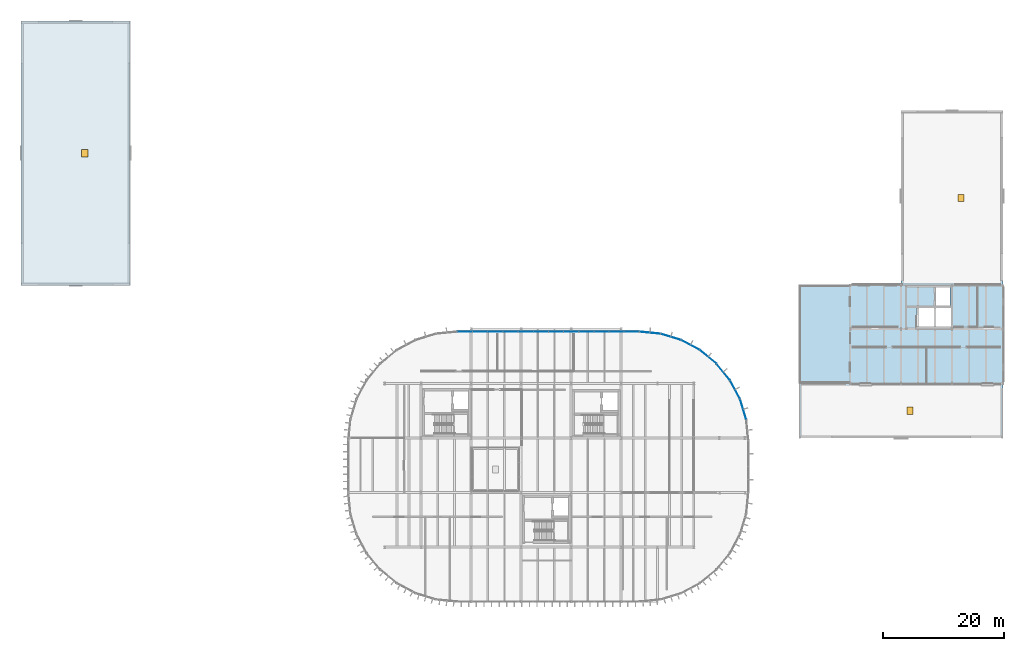
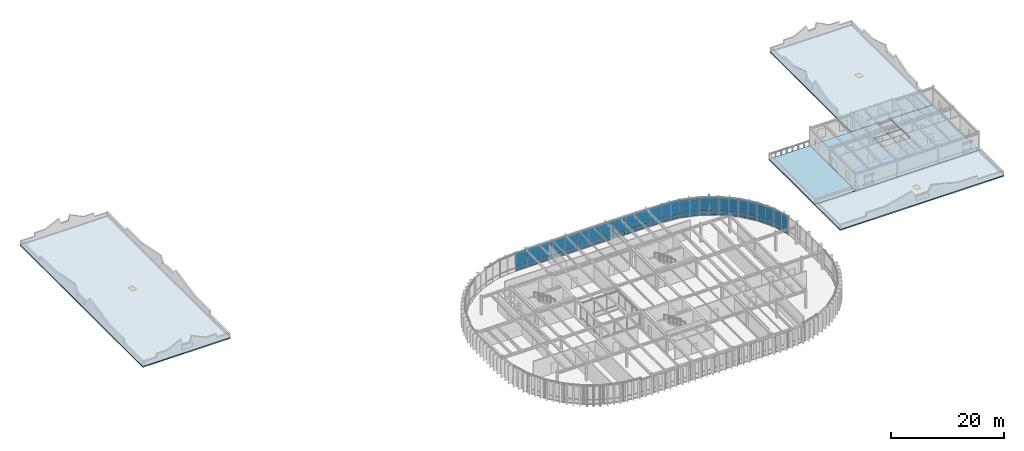
# One storey, part 19 of 31: 38 plates, 5 slabs, 3 doors, 5 openings, 13 elements without a shape of their own.
"""IFC4 building model written with IfcOpenShell, lengths in metres."""

import ifcopenshell
import ifcopenshell.guid

model = None  # the IFC model being written
_history = None  # IfcOwnerHistory: only IFC2X3 demands one
_inside = {}  # id of a spatial element -> (the spatial element, [elements in it])
_under = {}  # id of a project, library or spatial element -> (it, [spatial elements below it])
_declared = {}  # id of a project -> (the project, [libraries it declares])
_typed = {}  # id of a type object -> (the type object, [elements of that type])
_made_of = {}  # id of a material, layer set ... -> (it, [elements and type objects made of it])


def new_model(schema):
    """Start an empty IFC model of exactly this schema.

    Asked for "IFC4X3", IfcOpenShell would pick the latest addendum, in which some entities
    have other attributes; the version numbers below select the first issue.
    IFC2X3 requires an IfcOwnerHistory on every rooted entity: one is made here for all.
    """
    global model, _history
    if schema == "IFC4X3":
        model = ifcopenshell.file(schema_version=(4, 3, 0, 0))
    else:
        model = ifcopenshell.file(schema=schema)
    _inside.clear()
    _under.clear()
    _declared.clear()
    _typed.clear()
    _made_of.clear()
    _history = None
    if model.schema == "IFC2X3":
        org = make("IfcOrganization", Name="unknown")
        user = make(
            "IfcPersonAndOrganization",
            ThePerson=make("IfcPerson", FamilyName="unknown"),
            TheOrganization=org,
        )
        app = make(
            "IfcApplication",
            ApplicationDeveloper=org,
            Version="unknown",
            ApplicationFullName="unknown",
            ApplicationIdentifier="unknown",
        )
        _history = make(
            "IfcOwnerHistory",
            OwningUser=user,
            OwningApplication=app,
            ChangeAction="ADDED",
            CreationDate=0,
        )
    return model


def make(cls, **values):
    """One entity of the class cls with the attributes given. An attribute that is None is left unset."""
    return model.create_entity(
        cls, **{name: value for name, value in values.items() if value is not None}
    )


def rooted(cls, **values):
    """An entity with a GlobalId (a new one), such as an element, a storey or a relation."""
    return make(cls, GlobalId=ifcopenshell.guid.new(), OwnerHistory=_history, **values)


def si_unit(unit_type, name, prefix=None):
    """IfcSIUnit, for example si_unit("LENGTHUNIT", "METRE", prefix="MILLI")."""
    return make("IfcSIUnit", UnitType=unit_type, Prefix=prefix, Name=name)


def assignment(units):
    """IfcUnitAssignment: the units of a project."""
    return None if units is None else make("IfcUnitAssignment", Units=units)


def point(xyz):
    """IfcCartesianPoint."""
    return None if xyz is None else make("IfcCartesianPoint", Coordinates=xyz)


def direction(xyz):
    """IfcDirection."""
    return None if xyz is None else make("IfcDirection", DirectionRatios=xyz)


def frame(location, z_axis=None, x_axis=None):
    """IfcAxis2Placement3D, a coordinate frame: its origin and axes. An axis left out is left unset."""
    return make(
        "IfcAxis2Placement3D",
        Location=point(location),
        Axis=direction(z_axis),
        RefDirection=direction(x_axis),
    )


def frame_2d(location, x_axis=None):
    """IfcAxis2Placement2D, a coordinate frame in the plane: its origin and x axis."""
    return make(
        "IfcAxis2Placement2D", Location=point(location), RefDirection=direction(x_axis)
    )


def origin():
    """The frame at (0, 0, 0) with its axes left unset."""
    return frame((0.0, 0.0, 0.0))


def origin_2d():
    """The frame at (0, 0) in the plane with its x axis left unset."""
    return frame_2d((0.0, 0.0))


def place(relative_to, where):
    """IfcLocalPlacement: puts the frame where relative to a parent placement (None: the world)."""
    return make(
        "IfcLocalPlacement", PlacementRelTo=relative_to, RelativePlacement=where
    )


def context(
    kind, dimensions, precision=None, world=None, true_north=None, identifier=None
):
    """IfcGeometricRepresentationContext, for example the 3D "Model" context."""
    return make(
        "IfcGeometricRepresentationContext",
        ContextIdentifier=identifier,
        ContextType=kind,
        CoordinateSpaceDimension=dimensions,
        Precision=precision,
        WorldCoordinateSystem=world,
        TrueNorth=true_north,
    )


def subcontext(parent, identifier, kind, view, scale=None):
    """IfcGeometricRepresentationSubContext, for example "Body" below "Model"."""
    return make(
        "IfcGeometricRepresentationSubContext",
        ContextIdentifier=identifier,
        ContextType=kind,
        ParentContext=parent,
        TargetScale=scale,
        TargetView=view,
    )


def project(units=None, contexts=None):
    """IfcProject with its units and contexts."""
    return rooted(
        "IfcProject",
        Name="project",
        RepresentationContexts=contexts,
        UnitsInContext=assignment(units),
    )


def spatial(cls, under=None, at=None, **own):
    """A site, building, storey or space (cls), placed at a placement, below another one or the project."""
    s = rooted(cls, ObjectPlacement=at, **own)
    if under is not None:
        _under.setdefault(under.id(), (under, []))[1].append(s)
    return s


def polyline(points):
    """IfcPolyline through the points."""
    return make("IfcPolyline", Points=[point(p) for p in points])


def profile(cls, at=None, kind="AREA", **sizes):
    """A parametric profile (cls). Its sizes go by their IFC names, for example OverallWidth=200.0."""
    return make(cls, ProfileType=kind, Position=at, **sizes)


def rectangle(**sizes):
    """IfcRectangleProfileDef."""
    return profile("IfcRectangleProfileDef", **sizes)


def outline(outer, holes=None, kind="AREA"):
    """IfcArbitraryClosedProfileDef: a profile drawn as a closed curve; with holes, ...WithVoids."""
    if holes is None:
        return make("IfcArbitraryClosedProfileDef", ProfileType=kind, OuterCurve=outer)
    return make(
        "IfcArbitraryProfileDefWithVoids",
        ProfileType=kind,
        OuterCurve=outer,
        InnerCurves=holes,
    )


def extrude(swept, where, along, depth):
    """IfcExtrudedAreaSolid: the profile swept, set in the frame where, extruded along a direction by depth."""
    return make(
        "IfcExtrudedAreaSolid",
        SweptArea=swept,
        Position=where,
        ExtrudedDirection=direction(along),
        Depth=depth,
    )


def shape(context_of_items, identifier, shape_type, items):
    """IfcShapeRepresentation: the items that make up one representation, for example the "Body"."""
    return make(
        "IfcShapeRepresentation",
        ContextOfItems=context_of_items,
        RepresentationIdentifier=identifier,
        RepresentationType=shape_type,
        Items=items,
    )


def material(Name=None, Category=None):
    """IfcMaterial."""
    return make("IfcMaterial", Name=Name, Category=Category)


def layer(
    of_material, thickness, ventilated=None, Name=None, Category=None, Priority=None
):
    """IfcMaterialLayer: one layer of a wall or slab, of a material (None: an air gap)."""
    return make(
        "IfcMaterialLayer",
        Material=of_material,
        LayerThickness=thickness,
        IsVentilated=ventilated,
        Name=Name,
        Category=Category,
        Priority=Priority,
    )


def layer_set(layers, Name=None):
    """IfcMaterialLayerSet."""
    return make("IfcMaterialLayerSet", MaterialLayers=layers, LayerSetName=Name)


def made_of(thing, what):
    """Note that an element or type object is made of a material, layer set ...; save() writes the relation."""
    if what is not None:
        _made_of.setdefault(what.id(), (what, []))[1].append(thing)
    return thing


def type_object(cls, material=None, **own):
    """A type object (cls), such as IfcWallType, which elements share."""
    return made_of(rooted(cls, **own), material)


def element(
    cls,
    number,
    at=None,
    inside=None,
    cuts=None,
    type_object=None,
    material=None,
    context=None,
    identifier="Body",
    shape_type=None,
    held_by="IfcProductDefinitionShape",
    body=None,
    shapes=None,
    **own,
):
    """One element of the class cls, such as IfcWall. Its Tag is "e" and its number.

    at: its placement. inside: the storey or other place that contains it. cuts: it is an
    opening in that element (IfcRelVoidsElement). A single representation is given by context,
    identifier, shape_type and body (its items); several are given by shapes. held_by: the class
    of the entity that holds the representations. save() writes the other relations.
    """
    e = rooted(cls, Tag="e%d" % number, ObjectPlacement=at, **own)
    if body is not None:
        shapes = [shape(context, identifier, shape_type, body)]
    if shapes is not None:
        e.Representation = make(held_by, Representations=shapes)
    if inside is not None:
        _inside.setdefault(inside.id(), (inside, []))[1].append(e)
    if cuts is not None:
        rooted(
            "IfcRelVoidsElement", RelatingBuildingElement=cuts, RelatedOpeningElement=e
        )
    if type_object is not None:
        _typed.setdefault(type_object.id(), (type_object, []))[1].append(e)
    return made_of(e, material)


def fill(opening, filler):
    """IfcRelFillsElement: the door or window that sits in an opening."""
    return rooted(
        "IfcRelFillsElement",
        RelatingOpeningElement=opening,
        RelatedBuildingElement=filler,
    )


def aggregate(whole, parts):
    """IfcRelAggregates: a whole, such as a stair, and the parts it consists of."""
    return rooted("IfcRelAggregates", RelatingObject=whole, RelatedObjects=parts)


def save(model, path):
    """Write the relations noted so far, then the file.

    IfcRelAggregates (storeys below a building ...), IfcRelContainedInSpatialStructure (elements
    in a storey), IfcRelDefinesByType, IfcRelAssociatesMaterial and IfcRelDeclares: one each for
    every whole, place, type object, material and project.
    """
    for whole, parts in _under.values():
        aggregate(whole, parts)
    for where, things in _inside.values():
        rooted(
            "IfcRelContainedInSpatialStructure",
            RelatedElements=things,
            RelatingStructure=where,
        )
    for kind, things in _typed.values():
        rooted("IfcRelDefinesByType", RelatedObjects=things, RelatingType=kind)
    for what, things in _made_of.values():
        rooted("IfcRelAssociatesMaterial", RelatedObjects=things, RelatingMaterial=what)
    for by, libraries in _declared.values():
        rooted("IfcRelDeclares", RelatingContext=by, RelatedDefinitions=libraries)
    model.write(path)


model = new_model("IFC4")

# Units and contexts
model_context = context("Model", 3, precision=1e-05, world=origin(), true_north=direction((0.0, 1.0)))
body_context = subcontext(model_context, "Body", "Model", "MODEL_VIEW")
ifc_project = project(units=[si_unit("LENGTHUNIT", "METRE"), si_unit("AREAUNIT", "SQUARE_METRE"), si_unit("VOLUMEUNIT", "CUBIC_METRE"), si_unit("PLANEANGLEUNIT", "RADIAN"), si_unit("MASSUNIT", "GRAM", prefix="KILO")], contexts=[model_context])

# Site, building, storey
site_placement = place(None, origin())
site = spatial("IfcSite", under=ifc_project, at=site_placement, CompositionType="ELEMENT")
building_placement = place(site_placement, origin())
building = spatial("IfcBuilding", under=site, at=building_placement, Name="Montealbar Specialist Clinic", CompositionType="ELEMENT")
storey_placement = place(building_placement, frame((0.0, 0.0, 13.800048828125)))
storey = spatial("IfcBuildingStorey", under=building, at=storey_placement, Name="L03", CompositionType="ELEMENT", Elevation=13.800048828125)

# Curtain wall, plates
ifc_material_1 = material(Name="Low-E double glazing", Category="glass")
ifc_layer_1 = layer(ifc_material_1, 0.199951171875, Name="Low-E double glazing", Category="glass")
ifc_layer_set_1 = layer_set([ifc_layer_1], Name="Low-E double glazing")
curtain_wall_type_1 = type_object("IfcCurtainWallType", Name="CW-TYPE-20", PredefinedType="NOTDEFINED", material=ifc_layer_set_1)
curtain_wall_1_placement = place(storey_placement, origin())
curtain_wall_1 = element("IfcCurtainWall", 1, at=curtain_wall_1_placement, inside=storey, type_object=curtain_wall_type_1, Name="Unitised Curtain Wall CW-L03-720-446-820-446-138", PredefinedType="NOTDEFINED")
ifc_layer_2 = layer(ifc_material_1, 0.028076171875, Name="Low-E double glazing", Category="glass")
ifc_layer_set_2 = layer_set([ifc_layer_2], Name="Low-E double glazing")
plate_type_1 = type_object("IfcPlateType", Name="CW-PNL-IGU28", PredefinedType="CURTAIN_PANEL", material=ifc_layer_set_2)
plate_1_placement = place(storey_placement, frame((73.25, 44.550048828125, 0.06982421875), z_axis=(0.0, 0.0, 1.0), x_axis=(1.0, 0.0, 0.0)))
plate_1 = element("IfcPlate", 2, at=plate_1_placement, type_object=plate_type_1, Name="Glazed Curtain Panel CW-L03-720-446-820-446-138-1-1", PredefinedType="CURTAIN_PANEL", context=body_context, shape_type="SweptSolid", body=[
    extrude(rectangle(XDim=2.427978515625, YDim=0.028076171875, at=origin_2d()), origin(), (0.0, 0.0, 1.0), 0.85009765625),
])
plate_2_placement = place(storey_placement, frame((73.25, 44.550048828125, 0.97998046875), z_axis=(0.0, 0.0, 1.0), x_axis=(1.0, 0.0, 0.0)))
plate_2 = element("IfcPlate", 3, at=plate_2_placement, type_object=plate_type_1, Name="Glazed Curtain Panel CW-L03-720-446-820-446-138-1-2", PredefinedType="CURTAIN_PANEL", context=body_context, shape_type="SweptSolid", body=[
    extrude(rectangle(XDim=2.427978515625, YDim=0.028076171875, at=origin_2d()), origin(), (0.0, 0.0, 1.0), 2.889892578125),
])
plate_3_placement = place(storey_placement, frame((75.75, 44.550048828125, 0.06982421875), z_axis=(0.0, 0.0, 1.0), x_axis=(1.0, 0.0, 0.0)))
plate_3 = element("IfcPlate", 4, at=plate_3_placement, type_object=plate_type_1, Name="Glazed Curtain Panel CW-L03-720-446-820-446-138-2-1", PredefinedType="CURTAIN_PANEL", context=body_context, shape_type="SweptSolid", body=[
    extrude(rectangle(XDim=2.427978515625, YDim=0.028076171875, at=origin_2d()), origin(), (0.0, 0.0, 1.0), 0.85009765625),
])
plate_4_placement = place(storey_placement, frame((75.75, 44.550048828125, 0.97998046875), z_axis=(0.0, 0.0, 1.0), x_axis=(1.0, 0.0, 0.0)))
plate_4 = element("IfcPlate", 5, at=plate_4_placement, type_object=plate_type_1, Name="Glazed Curtain Panel CW-L03-720-446-820-446-138-2-2", PredefinedType="CURTAIN_PANEL", context=body_context, shape_type="SweptSolid", body=[
    extrude(rectangle(XDim=2.427978515625, YDim=0.028076171875, at=origin_2d()), origin(), (0.0, 0.0, 1.0), 2.889892578125),
])
plate_5_placement = place(storey_placement, frame((78.25, 44.550048828125, 0.06982421875), z_axis=(0.0, 0.0, 1.0), x_axis=(1.0, 0.0, 0.0)))
plate_5 = element("IfcPlate", 6, at=plate_5_placement, type_object=plate_type_1, Name="Glazed Curtain Panel CW-L03-720-446-820-446-138-3-1", PredefinedType="CURTAIN_PANEL", context=body_context, shape_type="SweptSolid", body=[
    extrude(rectangle(XDim=2.427978515625, YDim=0.028076171875, at=origin_2d()), origin(), (0.0, 0.0, 1.0), 0.85009765625),
])
plate_6_placement = place(storey_placement, frame((78.25, 44.550048828125, 0.97998046875), z_axis=(0.0, 0.0, 1.0), x_axis=(1.0, 0.0, 0.0)))
plate_6 = element("IfcPlate", 7, at=plate_6_placement, type_object=plate_type_1, Name="Glazed Curtain Panel CW-L03-720-446-820-446-138-3-2", PredefinedType="CURTAIN_PANEL", context=body_context, shape_type="SweptSolid", body=[
    extrude(rectangle(XDim=2.427978515625, YDim=0.028076171875, at=origin_2d()), origin(), (0.0, 0.0, 1.0), 2.889892578125),
])
plate_7_placement = place(storey_placement, frame((80.75, 44.550048828125, 0.06982421875), z_axis=(0.0, 0.0, 1.0), x_axis=(1.0, 0.0, 0.0)))
plate_7 = element("IfcPlate", 8, at=plate_7_placement, type_object=plate_type_1, Name="Glazed Curtain Panel CW-L03-720-446-820-446-138-4-1", PredefinedType="CURTAIN_PANEL", context=body_context, shape_type="SweptSolid", body=[
    extrude(rectangle(XDim=2.427978515625, YDim=0.028076171875, at=origin_2d()), origin(), (0.0, 0.0, 1.0), 0.85009765625),
])
plate_8_placement = place(storey_placement, frame((80.75, 44.550048828125, 0.97998046875), z_axis=(0.0, 0.0, 1.0), x_axis=(1.0, 0.0, 0.0)))
plate_8 = element("IfcPlate", 9, at=plate_8_placement, type_object=plate_type_1, Name="Glazed Curtain Panel CW-L03-720-446-820-446-138-4-2", PredefinedType="CURTAIN_PANEL", context=body_context, shape_type="SweptSolid", body=[
    extrude(rectangle(XDim=2.427978515625, YDim=0.028076171875, at=origin_2d()), origin(), (0.0, 0.0, 1.0), 2.889892578125),
])
aggregate(curtain_wall_1, [plate_1, plate_2, plate_3, plate_4, plate_5, plate_6, plate_7, plate_8])

curtain_wall_2_placement = place(storey_placement, origin())
curtain_wall_2 = element("IfcCurtainWall", 10, at=curtain_wall_2_placement, inside=storey, type_object=curtain_wall_type_1, Name="Unitised Curtain Wall CW-L03-820-446-920-446-138", PredefinedType="NOTDEFINED")
plate_9_placement = place(storey_placement, frame((83.25, 44.550048828125, 0.06982421875), z_axis=(0.0, 0.0, 1.0), x_axis=(1.0, 0.0, 0.0)))
plate_9 = element("IfcPlate", 11, at=plate_9_placement, type_object=plate_type_1, Name="Glazed Curtain Panel CW-L03-820-446-920-446-138-1-1", PredefinedType="CURTAIN_PANEL", context=body_context, shape_type="SweptSolid", body=[
    extrude(rectangle(XDim=2.427978515625, YDim=0.028076171875, at=origin_2d()), origin(), (0.0, 0.0, 1.0), 0.85009765625),
])
plate_10_placement = place(storey_placement, frame((83.25, 44.550048828125, 0.97998046875), z_axis=(0.0, 0.0, 1.0), x_axis=(1.0, 0.0, 0.0)))
plate_10 = element("IfcPlate", 12, at=plate_10_placement, type_object=plate_type_1, Name="Glazed Curtain Panel CW-L03-820-446-920-446-138-1-2", PredefinedType="CURTAIN_PANEL", context=body_context, shape_type="SweptSolid", body=[
    extrude(rectangle(XDim=2.427978515625, YDim=0.028076171875, at=origin_2d()), origin(), (0.0, 0.0, 1.0), 2.889892578125),
])
plate_11_placement = place(storey_placement, frame((85.75, 44.550048828125, 0.06982421875), z_axis=(0.0, 0.0, 1.0), x_axis=(1.0, 0.0, 0.0)))
plate_11 = element("IfcPlate", 13, at=plate_11_placement, type_object=plate_type_1, Name="Glazed Curtain Panel CW-L03-820-446-920-446-138-2-1", PredefinedType="CURTAIN_PANEL", context=body_context, shape_type="SweptSolid", body=[
    extrude(rectangle(XDim=2.427978515625, YDim=0.028076171875, at=origin_2d()), origin(), (0.0, 0.0, 1.0), 0.85009765625),
])
plate_12_placement = place(storey_placement, frame((85.75, 44.550048828125, 0.97998046875), z_axis=(0.0, 0.0, 1.0), x_axis=(1.0, 0.0, 0.0)))
plate_12 = element("IfcPlate", 14, at=plate_12_placement, type_object=plate_type_1, Name="Glazed Curtain Panel CW-L03-820-446-920-446-138-2-2", PredefinedType="CURTAIN_PANEL", context=body_context, shape_type="SweptSolid", body=[
    extrude(rectangle(XDim=2.427978515625, YDim=0.028076171875, at=origin_2d()), origin(), (0.0, 0.0, 1.0), 2.889892578125),
])
plate_13_placement = place(storey_placement, frame((88.25, 44.550048828125, 0.06982421875), z_axis=(0.0, 0.0, 1.0), x_axis=(1.0, 0.0, 0.0)))
plate_13 = element("IfcPlate", 15, at=plate_13_placement, type_object=plate_type_1, Name="Glazed Curtain Panel CW-L03-820-446-920-446-138-3-1", PredefinedType="CURTAIN_PANEL", context=body_context, shape_type="SweptSolid", body=[
    extrude(rectangle(XDim=2.427978515625, YDim=0.028076171875, at=origin_2d()), origin(), (0.0, 0.0, 1.0), 0.85009765625),
])
plate_14_placement = place(storey_placement, frame((88.25, 44.550048828125, 0.97998046875), z_axis=(0.0, 0.0, 1.0), x_axis=(1.0, 0.0, 0.0)))
plate_14 = element("IfcPlate", 16, at=plate_14_placement, type_object=plate_type_1, Name="Glazed Curtain Panel CW-L03-820-446-920-446-138-3-2", PredefinedType="CURTAIN_PANEL", context=body_context, shape_type="SweptSolid", body=[
    extrude(rectangle(XDim=2.427978515625, YDim=0.028076171875, at=origin_2d()), origin(), (0.0, 0.0, 1.0), 2.889892578125),
])
plate_15_placement = place(storey_placement, frame((90.75, 44.550048828125, 0.06982421875), z_axis=(0.0, 0.0, 1.0), x_axis=(1.0, 0.0, 0.0)))
plate_15 = element("IfcPlate", 17, at=plate_15_placement, type_object=plate_type_1, Name="Glazed Curtain Panel CW-L03-820-446-920-446-138-4-1", PredefinedType="CURTAIN_PANEL", context=body_context, shape_type="SweptSolid", body=[
    extrude(rectangle(XDim=2.427978515625, YDim=0.028076171875, at=origin_2d()), origin(), (0.0, 0.0, 1.0), 0.85009765625),
])
plate_16_placement = place(storey_placement, frame((90.75, 44.550048828125, 0.97998046875), z_axis=(0.0, 0.0, 1.0), x_axis=(1.0, 0.0, 0.0)))
plate_16 = element("IfcPlate", 18, at=plate_16_placement, type_object=plate_type_1, Name="Glazed Curtain Panel CW-L03-820-446-920-446-138-4-2", PredefinedType="CURTAIN_PANEL", context=body_context, shape_type="SweptSolid", body=[
    extrude(rectangle(XDim=2.427978515625, YDim=0.028076171875, at=origin_2d()), origin(), (0.0, 0.0, 1.0), 2.889892578125),
])
aggregate(curtain_wall_2, [plate_9, plate_10, plate_11, plate_12, plate_13, plate_14, plate_15, plate_16])

curtain_wall_3_placement = place(storey_placement, origin())
curtain_wall_3 = element("IfcCurtainWall", 19, at=curtain_wall_3_placement, inside=storey, type_object=curtain_wall_type_1, Name="Unitised Curtain Wall CW-L03-920-446-1020-446-138", PredefinedType="NOTDEFINED")
plate_17_placement = place(storey_placement, frame((93.25, 44.550048828125, 0.06982421875), z_axis=(0.0, 0.0, 1.0), x_axis=(1.0, 0.0, 0.0)))
plate_17 = element("IfcPlate", 20, at=plate_17_placement, type_object=plate_type_1, Name="Glazed Curtain Panel CW-L03-920-446-1020-446-138-1-1", PredefinedType="CURTAIN_PANEL", context=body_context, shape_type="SweptSolid", body=[
    extrude(rectangle(XDim=2.427978515625, YDim=0.028076171875, at=origin_2d()), origin(), (0.0, 0.0, 1.0), 0.85009765625),
])
plate_18_placement = place(storey_placement, frame((93.25, 44.550048828125, 0.97998046875), z_axis=(0.0, 0.0, 1.0), x_axis=(1.0, 0.0, 0.0)))
plate_18 = element("IfcPlate", 21, at=plate_18_placement, type_object=plate_type_1, Name="Glazed Curtain Panel CW-L03-920-446-1020-446-138-1-2", PredefinedType="CURTAIN_PANEL", context=body_context, shape_type="SweptSolid", body=[
    extrude(rectangle(XDim=2.427978515625, YDim=0.028076171875, at=origin_2d()), origin(), (0.0, 0.0, 1.0), 2.889892578125),
])
plate_19_placement = place(storey_placement, frame((95.75, 44.550048828125, 0.06982421875), z_axis=(0.0, 0.0, 1.0), x_axis=(1.0, 0.0, 0.0)))
plate_19 = element("IfcPlate", 22, at=plate_19_placement, type_object=plate_type_1, Name="Glazed Curtain Panel CW-L03-920-446-1020-446-138-2-1", PredefinedType="CURTAIN_PANEL", context=body_context, shape_type="SweptSolid", body=[
    extrude(rectangle(XDim=2.427978515625, YDim=0.028076171875, at=origin_2d()), origin(), (0.0, 0.0, 1.0), 0.85009765625),
])
plate_20_placement = place(storey_placement, frame((95.75, 44.550048828125, 0.97998046875), z_axis=(0.0, 0.0, 1.0), x_axis=(1.0, 0.0, 0.0)))
plate_20 = element("IfcPlate", 23, at=plate_20_placement, type_object=plate_type_1, Name="Glazed Curtain Panel CW-L03-920-446-1020-446-138-2-2", PredefinedType="CURTAIN_PANEL", context=body_context, shape_type="SweptSolid", body=[
    extrude(rectangle(XDim=2.427978515625, YDim=0.028076171875, at=origin_2d()), origin(), (0.0, 0.0, 1.0), 2.889892578125),
])
plate_21_placement = place(storey_placement, frame((98.25, 44.550048828125, 0.06982421875), z_axis=(0.0, 0.0, 1.0), x_axis=(1.0, 0.0, 0.0)))
plate_21 = element("IfcPlate", 24, at=plate_21_placement, type_object=plate_type_1, Name="Glazed Curtain Panel CW-L03-920-446-1020-446-138-3-1", PredefinedType="CURTAIN_PANEL", context=body_context, shape_type="SweptSolid", body=[
    extrude(rectangle(XDim=2.427978515625, YDim=0.028076171875, at=origin_2d()), origin(), (0.0, 0.0, 1.0), 0.85009765625),
])
plate_22_placement = place(storey_placement, frame((98.25, 44.550048828125, 0.97998046875), z_axis=(0.0, 0.0, 1.0), x_axis=(1.0, 0.0, 0.0)))
plate_22 = element("IfcPlate", 25, at=plate_22_placement, type_object=plate_type_1, Name="Glazed Curtain Panel CW-L03-920-446-1020-446-138-3-2", PredefinedType="CURTAIN_PANEL", context=body_context, shape_type="SweptSolid", body=[
    extrude(rectangle(XDim=2.427978515625, YDim=0.028076171875, at=origin_2d()), origin(), (0.0, 0.0, 1.0), 2.889892578125),
])
plate_23_placement = place(storey_placement, frame((100.75, 44.550048828125, 0.06982421875), z_axis=(0.0, 0.0, 1.0), x_axis=(1.0, 0.0, 0.0)))
plate_23 = element("IfcPlate", 26, at=plate_23_placement, type_object=plate_type_1, Name="Glazed Curtain Panel CW-L03-920-446-1020-446-138-4-1", PredefinedType="CURTAIN_PANEL", context=body_context, shape_type="SweptSolid", body=[
    extrude(rectangle(XDim=2.427978515625, YDim=0.028076171875, at=origin_2d()), origin(), (0.0, 0.0, 1.0), 0.85009765625),
])
plate_24_placement = place(storey_placement, frame((100.75, 44.550048828125, 0.97998046875), z_axis=(0.0, 0.0, 1.0), x_axis=(1.0, 0.0, 0.0)))
plate_24 = element("IfcPlate", 27, at=plate_24_placement, type_object=plate_type_1, Name="Glazed Curtain Panel CW-L03-920-446-1020-446-138-4-2", PredefinedType="CURTAIN_PANEL", context=body_context, shape_type="SweptSolid", body=[
    extrude(rectangle(XDim=2.427978515625, YDim=0.028076171875, at=origin_2d()), origin(), (0.0, 0.0, 1.0), 2.889892578125),
])
aggregate(curtain_wall_3, [plate_17, plate_18, plate_19, plate_20, plate_21, plate_22, plate_23, plate_24])

ifc_layer_3 = layer(ifc_material_1, 0.199951171875, Name="Low-E double glazing", Category="glass")
ifc_layer_set_3 = layer_set([ifc_layer_3], Name="Low-E double glazing")
curtain_wall_type_2 = type_object("IfcCurtainWallType", Name="CW-TYPE-19", PredefinedType="NOTDEFINED", material=ifc_layer_set_3)
curtain_wall_4_placement = place(storey_placement, origin())
curtain_wall_4 = element("IfcCurtainWall", 28, at=curtain_wall_4_placement, inside=storey, type_object=curtain_wall_type_2, Name="Unitised Curtain Wall CW-L03-1020-446-1055-442-138", PredefinedType="NOTDEFINED")
ifc_layer_4 = layer(ifc_material_1, 0.0380859375, Name="Low-E double glazing", Category="glass")
ifc_layer_set_4 = layer_set([ifc_layer_4], Name="Low-E double glazing")
plate_type_2 = type_object("IfcPlateType", Name="CW-PNL-IGU38", PredefinedType="CURTAIN_PANEL", material=ifc_layer_set_4)
plate_25_placement = place(storey_placement, frame((103.756103515625, 44.376953125, 0.06982421875), z_axis=(0.0, 0.0, 1.0), x_axis=(0.995182012183, -0.098044697094, 0.0)))
plate_25 = element("IfcPlate", 29, at=plate_25_placement, type_object=plate_type_2, Name="Glazed Curtain Panel CW-L03-1020-446-1055-442-138-1-1", PredefinedType="CURTAIN_PANEL", context=body_context, shape_type="SweptSolid", body=[
    extrude(rectangle(XDim=3.445068359375, YDim=0.0380859375, at=origin_2d()), origin(), (0.0, 0.0, 1.0), 0.85009765625),
])
plate_26_placement = place(storey_placement, frame((103.756103515625, 44.376953125, 0.97998046875), z_axis=(0.0, 0.0, 1.0), x_axis=(0.995182012183, -0.098044697094, 0.0)))
plate_26 = element("IfcPlate", 30, at=plate_26_placement, type_object=plate_type_2, Name="Glazed Curtain Panel CW-L03-1020-446-1055-442-138-1-2", PredefinedType="CURTAIN_PANEL", context=body_context, shape_type="SweptSolid", body=[
    extrude(rectangle(XDim=3.445068359375, YDim=0.0380859375, at=origin_2d()), origin(), (0.0, 0.0, 1.0), 2.889892578125),
])
aggregate(curtain_wall_4, [plate_25, plate_26])

curtain_wall_5_placement = place(storey_placement, origin())
curtain_wall_5 = element("IfcCurtainWall", 31, at=curtain_wall_5_placement, inside=storey, type_object=curtain_wall_type_2, Name="Unitised Curtain Wall CW-L03-1055-442-1089-432-138", PredefinedType="NOTDEFINED")
plate_27_placement = place(storey_placement, frame((107.199951171875, 43.69189453125, 0.06982421875), z_axis=(0.0, 0.0, 1.0), x_axis=(0.956948083701, -0.290259134399, 0.0)))
plate_27 = element("IfcPlate", 32, at=plate_27_placement, type_object=plate_type_2, Name="Glazed Curtain Panel CW-L03-1055-442-1089-432-138-1-1", PredefinedType="CURTAIN_PANEL", context=body_context, shape_type="SweptSolid", body=[
    extrude(rectangle(XDim=3.444091796875, YDim=0.0380859375, at=origin_2d()), origin(), (0.0, 0.0, 1.0), 0.85009765625),
])
plate_28_placement = place(storey_placement, frame((107.199951171875, 43.69189453125, 0.97998046875), z_axis=(0.0, 0.0, 1.0), x_axis=(0.956948083701, -0.290259134399, 0.0)))
plate_28 = element("IfcPlate", 33, at=plate_28_placement, type_object=plate_type_2, Name="Glazed Curtain Panel CW-L03-1055-442-1089-432-138-1-2", PredefinedType="CURTAIN_PANEL", context=body_context, shape_type="SweptSolid", body=[
    extrude(rectangle(XDim=3.444091796875, YDim=0.0380859375, at=origin_2d()), origin(), (0.0, 0.0, 1.0), 2.889892578125),
])
aggregate(curtain_wall_5, [plate_27, plate_28])

curtain_wall_6_placement = place(storey_placement, origin())
curtain_wall_6 = element("IfcCurtainWall", 34, at=curtain_wall_6_placement, inside=storey, type_object=curtain_wall_type_2, Name="Unitised Curtain Wall CW-L03-1089-432-1120-415-138", PredefinedType="NOTDEFINED")
plate_29_placement = place(storey_placement, frame((110.444091796875, 42.347900390625, 0.06982421875), z_axis=(0.0, 0.0, 1.0), x_axis=(0.881850411644, -0.471529268958, 0.0)))
plate_29 = element("IfcPlate", 35, at=plate_29_placement, type_object=plate_type_2, Name="Glazed Curtain Panel CW-L03-1089-432-1120-415-138-1-1", PredefinedType="CURTAIN_PANEL", context=body_context, shape_type="SweptSolid", body=[
    extrude(rectangle(XDim=3.445068359375, YDim=0.0380859375, at=origin_2d()), origin(), (0.0, 0.0, 1.0), 0.85009765625),
])
plate_30_placement = place(storey_placement, frame((110.444091796875, 42.347900390625, 0.97998046875), z_axis=(0.0, 0.0, 1.0), x_axis=(0.881850411644, -0.471529268958, 0.0)))
plate_30 = element("IfcPlate", 36, at=plate_30_placement, type_object=plate_type_2, Name="Glazed Curtain Panel CW-L03-1089-432-1120-415-138-1-2", PredefinedType="CURTAIN_PANEL", context=body_context, shape_type="SweptSolid", body=[
    extrude(rectangle(XDim=3.445068359375, YDim=0.0380859375, at=origin_2d()), origin(), (0.0, 0.0, 1.0), 2.889892578125),
])
aggregate(curtain_wall_6, [plate_29, plate_30])

curtain_wall_7_placement = place(storey_placement, origin())
curtain_wall_7 = element("IfcCurtainWall", 37, at=curtain_wall_7_placement, inside=storey, type_object=curtain_wall_type_2, Name="Unitised Curtain Wall CW-L03-1120-415-1147-393-138", PredefinedType="NOTDEFINED")
plate_31_placement = place(storey_placement, frame((113.364013671875, 40.39697265625, 0.06982421875), z_axis=(0.0, 0.0, 1.0), x_axis=(0.773123255923, -0.634255808922, 0.0)))
plate_31 = element("IfcPlate", 38, at=plate_31_placement, type_object=plate_type_2, Name="Glazed Curtain Panel CW-L03-1120-415-1147-393-138-1-1", PredefinedType="CURTAIN_PANEL", context=body_context, shape_type="SweptSolid", body=[
    extrude(rectangle(XDim=3.445068359375, YDim=0.0380859375, at=origin_2d()), origin(), (0.0, 0.0, 1.0), 0.85009765625),
])
plate_32_placement = place(storey_placement, frame((113.364013671875, 40.39697265625, 0.97998046875), z_axis=(0.0, 0.0, 1.0), x_axis=(0.773123255923, -0.634255808922, 0.0)))
plate_32 = element("IfcPlate", 39, at=plate_32_placement, type_object=plate_type_2, Name="Glazed Curtain Panel CW-L03-1120-415-1147-393-138-1-2", PredefinedType="CURTAIN_PANEL", context=body_context, shape_type="SweptSolid", body=[
    extrude(rectangle(XDim=3.445068359375, YDim=0.0380859375, at=origin_2d()), origin(), (0.0, 0.0, 1.0), 2.889892578125),
])
aggregate(curtain_wall_7, [plate_31, plate_32])

curtain_wall_8_placement = place(storey_placement, origin())
curtain_wall_8 = element("IfcCurtainWall", 40, at=curtain_wall_8_placement, inside=storey, type_object=curtain_wall_type_2, Name="Unitised Curtain Wall CW-L03-1147-393-1170-366-138", PredefinedType="NOTDEFINED")
plate_33_placement = place(storey_placement, frame((115.846923828125, 37.9140625, 0.06982421875), z_axis=(0.0, 0.0, 1.0), x_axis=(0.634255808922, -0.773123255923, 0.0)))
plate_33 = element("IfcPlate", 41, at=plate_33_placement, type_object=plate_type_2, Name="Glazed Curtain Panel CW-L03-1147-393-1170-366-138-1-1", PredefinedType="CURTAIN_PANEL", context=body_context, shape_type="SweptSolid", body=[
    extrude(rectangle(XDim=3.445068359375, YDim=0.0380859375, at=origin_2d()), origin(), (0.0, 0.0, 1.0), 0.85009765625),
])
plate_34_placement = place(storey_placement, frame((115.846923828125, 37.9140625, 0.97998046875), z_axis=(0.0, 0.0, 1.0), x_axis=(0.634255808922, -0.773123255923, 0.0)))
plate_34 = element("IfcPlate", 42, at=plate_34_placement, type_object=plate_type_2, Name="Glazed Curtain Panel CW-L03-1147-393-1170-366-138-1-2", PredefinedType="CURTAIN_PANEL", context=body_context, shape_type="SweptSolid", body=[
    extrude(rectangle(XDim=3.445068359375, YDim=0.0380859375, at=origin_2d()), origin(), (0.0, 0.0, 1.0), 2.889892578125),
])
aggregate(curtain_wall_8, [plate_33, plate_34])

curtain_wall_9_placement = place(storey_placement, origin())
curtain_wall_9 = element("IfcCurtainWall", 43, at=curtain_wall_9_placement, inside=storey, type_object=curtain_wall_type_2, Name="Unitised Curtain Wall CW-L03-1170-366-1186-334-138", PredefinedType="NOTDEFINED")
plate_35_placement = place(storey_placement, frame((117.798095703125, 34.993896484375, 0.06982421875), z_axis=(0.0, 0.0, 1.0), x_axis=(0.471529268958, -0.881850411644, 0.0)))
plate_35 = element("IfcPlate", 44, at=plate_35_placement, type_object=plate_type_2, Name="Glazed Curtain Panel CW-L03-1170-366-1186-334-138-1-1", PredefinedType="CURTAIN_PANEL", context=body_context, shape_type="SweptSolid", body=[
    extrude(rectangle(XDim=3.445068359375, YDim=0.0380859375, at=origin_2d()), origin(), (0.0, 0.0, 1.0), 0.85009765625),
])
plate_36_placement = place(storey_placement, frame((117.798095703125, 34.993896484375, 0.97998046875), z_axis=(0.0, 0.0, 1.0), x_axis=(0.471529268958, -0.881850411644, 0.0)))
plate_36 = element("IfcPlate", 45, at=plate_36_placement, type_object=plate_type_2, Name="Glazed Curtain Panel CW-L03-1170-366-1186-334-138-1-2", PredefinedType="CURTAIN_PANEL", context=body_context, shape_type="SweptSolid", body=[
    extrude(rectangle(XDim=3.445068359375, YDim=0.0380859375, at=origin_2d()), origin(), (0.0, 0.0, 1.0), 2.889892578125),
])
aggregate(curtain_wall_9, [plate_35, plate_36])

curtain_wall_10_placement = place(storey_placement, origin())
curtain_wall_10 = element("IfcCurtainWall", 46, at=curtain_wall_10_placement, inside=storey, type_object=curtain_wall_type_2, Name="Unitised Curtain Wall CW-L03-1186-334-1197-301-138", PredefinedType="NOTDEFINED")
plate_37_placement = place(storey_placement, frame((119.14208984375, 31.75, 0.06982421875), z_axis=(0.0, 0.0, 1.0), x_axis=(0.290259134399, -0.956948083701, 0.0)))
plate_37 = element("IfcPlate", 47, at=plate_37_placement, type_object=plate_type_2, Name="Glazed Curtain Panel CW-L03-1186-334-1197-301-138-1-1", PredefinedType="CURTAIN_PANEL", context=body_context, shape_type="SweptSolid", body=[
    extrude(rectangle(XDim=3.444091796875, YDim=0.0380859375, at=origin_2d()), origin(), (0.0, 0.0, 1.0), 0.85009765625),
])
plate_38_placement = place(storey_placement, frame((119.14208984375, 31.75, 0.97998046875), z_axis=(0.0, 0.0, 1.0), x_axis=(0.290259134399, -0.956948083701, 0.0)))
plate_38 = element("IfcPlate", 48, at=plate_38_placement, type_object=plate_type_2, Name="Glazed Curtain Panel CW-L03-1186-334-1197-301-138-1-2", PredefinedType="CURTAIN_PANEL", context=body_context, shape_type="SweptSolid", body=[
    extrude(rectangle(XDim=3.444091796875, YDim=0.0380859375, at=origin_2d()), origin(), (0.0, 0.0, 1.0), 2.889892578125),
])
aggregate(curtain_wall_10, [plate_37, plate_38])

# Slab, openings
ifc_material_2 = material(Name="Concrete C35/45", Category="concrete")
ifc_layer_5 = layer(ifc_material_2, 0.27001953125, Name="Concrete C35/45", Category="concrete")
ifc_layer_set_5 = layer_set([ifc_layer_5], Name="Concrete C35/45")
slab_type_1 = type_object("IfcSlabType", Name="SL-FLR-220", PredefinedType="FLOOR", material=ifc_layer_set_5)
slab_1_placement = place(storey_placement, frame((0.0, 0.0, -0.27001953125)))
slab_1 = element("IfcSlab", 49, at=slab_1_placement, inside=storey, type_object=slab_type_1, Name="Structural Slab L03 Wing 1", PredefinedType="FLOOR", context=body_context, shape_type="SweptSolid", body=[
    extrude(outline(polyline([(162.0, 52.199951171875), (162.0, 36.0), (136.800048828125, 36.0), (136.800048828125, 52.199951171875), (162.0, 52.199951171875)]), holes=[polyline([(147.75, 48.5), (147.75, 45.39990234375), (153.449951171875, 45.39990234375), (153.449951171875, 48.5), (147.75, 48.5)]), polyline([(150.697998046875, 51.802001953125), (150.697998046875, 48.798095703125), (153.302001953125, 48.798095703125), (153.302001953125, 51.802001953125), (150.697998046875, 51.802001953125)])]), origin(), (0.0, 0.0, 1.0), 0.27001953125),
])
opening_1_placement = place(slab_1_placement, frame((150.60009765625, 46.949951171875, -0.010009765625)))
element("IfcOpeningElement", 50, at=opening_1_placement, cuts=slab_1, Name="Opening STAIRVOID-C6-L03-1", PredefinedType="OPENING", context=body_context, shape_type="SweptSolid", body=[
    extrude(rectangle(XDim=5.696044921875, YDim=3.09619140625, at=origin_2d()), origin(), (0.0, 0.0, 1.0), 0.2900390625),
])
opening_2_placement = place(slab_1_placement, frame((152.0, 50.300048828125, -0.010009765625)))
element("IfcOpeningElement", 51, at=opening_2_placement, cuts=slab_1, Name="Opening LIFTSHAFT-LF-04-L03", PredefinedType="OPENING", context=body_context, shape_type="SweptSolid", body=[
    extrude(rectangle(XDim=2.60009765625, YDim=3.0, at=origin_2d()), origin(), (0.0, 0.0, 1.0), 0.2900390625),
])

# Roof, slab, opening, door
ifc_material_3 = material(Name="Weatherproof roofing membrane", Category="concrete")
roof_type = type_object("IfcRoofType", Name="ROOF-CONT-FLAT", PredefinedType="FLAT_ROOF", material=ifc_material_3)
roof_1_placement = place(storey_placement, origin())
roof_1 = element("IfcRoof", 52, at=roof_1_placement, inside=storey, type_object=roof_type, Name="Flat Roof Assembly ROOF-L03-01", PredefinedType="FLAT_ROOF")
ifc_layer_6 = layer(ifc_material_2, 0.27001953125, Name="Concrete C35/45", Category="concrete")
ifc_layer_set_6 = layer_set([ifc_layer_6], Name="Concrete C35/45")
slab_type_2 = type_object("IfcSlabType", Name="SL-ROOF-220", PredefinedType="ROOF", material=ifc_layer_set_6)
slab_2_placement = place(storey_placement, frame((0.0, 0.0, -0.27001953125)))
slab_2 = element("IfcSlab", 53, at=slab_2_placement, type_object=slab_type_2, Name="Roof Slab ROOF-L03-01", PredefinedType="ROOF", context=body_context, shape_type="SweptSolid", body=[
    extrude(outline(polyline([(128.39990234375, 36.0), (162.0, 36.0), (162.0, 27.0), (128.39990234375, 27.0), (128.39990234375, 36.0)]), holes=[polyline([(147.18994140625, 32.090087890625), (146.2099609375, 32.090087890625), (146.2099609375, 30.909912109375), (147.18994140625, 30.909912109375), (147.18994140625, 32.090087890625)])]), origin(), (0.0, 0.0, 1.0), 0.27001953125),
])
opening_3_placement = place(slab_2_placement, frame((146.699951171875, 31.5, -0.010009765625)))
opening_3 = element("IfcOpeningElement", 54, at=opening_3_placement, cuts=slab_2, Name="Opening HT-01", PredefinedType="OPENING", context=body_context, shape_type="SweptSolid", body=[
    extrude(rectangle(XDim=1.0, YDim=1.199951171875, at=origin_2d()), origin(), (0.0, 0.0, 1.0), 0.2900390625),
])
ifc_material_4 = material(Name="Powder-coated aluminium", Category="aluminium")
door_type = type_object("IfcDoorType", Name="DR-HATCH-RF01", OperationType="SINGLE_SWING_LEFT", PredefinedType="TRAPDOOR", material=ifc_material_4)
door_1_placement = place(slab_2_placement, frame((146.699951171875, 31.5, 0.219970703125)))
door_1 = element("IfcDoor", 55, at=door_1_placement, inside=storey, type_object=door_type, Name="Roof Maintenance Access Hatch HT-09", OperationType="SINGLE_SWING_LEFT", OverallHeight=1.199951171875, OverallWidth=1.0, PredefinedType="TRAPDOOR", context=body_context, shape_type="SweptSolid", body=[
    extrude(rectangle(XDim=1.0, YDim=1.199951171875, at=origin_2d()), origin(), (0.0, 0.0, 1.0), 0.050048828125),
])
fill(opening_3, door_1)
aggregate(roof_1, [slab_2])

roof_2_placement = place(storey_placement, origin())
roof_2 = element("IfcRoof", 56, at=roof_2_placement, inside=storey, type_object=roof_type, Name="Flat Roof Assembly ROOF-L03-02", PredefinedType="FLAT_ROOF")
slab_3_placement = place(storey_placement, frame((0.0, 0.0, -0.27001953125)))
slab_3 = element("IfcSlab", 57, at=slab_3_placement, type_object=slab_type_2, Name="Roof Slab ROOF-L03-02", PredefinedType="ROOF", context=body_context, shape_type="SweptSolid", body=[
    extrude(outline(polyline([(162.0, 52.199951171875), (145.199951171875, 52.199951171875), (145.199951171875, 81.0), (162.0, 81.0), (162.0, 52.199951171875)]), holes=[polyline([(155.590087890625, 67.18994140625), (154.610107421875, 67.18994140625), (154.610107421875, 66.010009765625), (155.590087890625, 66.010009765625), (155.590087890625, 67.18994140625)])]), origin(), (0.0, 0.0, 1.0), 0.27001953125),
])
opening_4_placement = place(slab_3_placement, frame((155.10009765625, 66.60009765625, -0.010009765625)))
opening_4 = element("IfcOpeningElement", 58, at=opening_4_placement, cuts=slab_3, Name="Opening HT-01", PredefinedType="OPENING", context=body_context, shape_type="SweptSolid", body=[
    extrude(rectangle(XDim=1.0, YDim=1.199951171875, at=origin_2d()), origin(), (0.0, 0.0, 1.0), 0.2900390625),
])
door_2_placement = place(slab_3_placement, frame((155.10009765625, 66.60009765625, 0.219970703125)))
door_2 = element("IfcDoor", 59, at=door_2_placement, inside=storey, type_object=door_type, Name="Roof Maintenance Access Hatch HT-10", OperationType="SINGLE_SWING_LEFT", OverallHeight=1.199951171875, OverallWidth=1.0, PredefinedType="TRAPDOOR", context=body_context, shape_type="SweptSolid", body=[
    extrude(rectangle(XDim=1.0, YDim=1.199951171875, at=origin_2d()), origin(), (0.0, 0.0, 1.0), 0.050048828125),
])
fill(opening_4, door_2)
aggregate(roof_2, [slab_3])

roof_3_placement = place(storey_placement, origin())
roof_3 = element("IfcRoof", 60, at=roof_3_placement, inside=storey, type_object=roof_type, Name="Flat Roof Assembly ROOF-L03-04", PredefinedType="FLAT_ROOF")
slab_4_placement = place(storey_placement, frame((0.0, 0.0, -0.27001953125)))
slab_4 = element("IfcSlab", 61, at=slab_4_placement, type_object=slab_type_2, Name="Roof Slab ROOF-L03-04", PredefinedType="ROOF", context=body_context, shape_type="SweptSolid", body=[
    extrude(outline(polyline([(0.0, 95.800048828125), (18.0, 95.800048828125), (18.0, 52.199951171875), (0.0, 52.199951171875), (0.0, 95.800048828125)]), holes=[polyline([(10.989990234375, 74.590087890625), (10.010009765625, 74.590087890625), (10.010009765625, 73.409912109375), (10.989990234375, 73.409912109375), (10.989990234375, 74.590087890625)])]), origin(), (0.0, 0.0, 1.0), 0.27001953125),
])
opening_5_placement = place(slab_4_placement, frame((10.5, 74.0, -0.010009765625)))
opening_5 = element("IfcOpeningElement", 62, at=opening_5_placement, cuts=slab_4, Name="Opening HT-01", PredefinedType="OPENING", context=body_context, shape_type="SweptSolid", body=[
    extrude(rectangle(XDim=1.0, YDim=1.199951171875, at=origin_2d()), origin(), (0.0, 0.0, 1.0), 0.2900390625),
])
door_3_placement = place(slab_4_placement, frame((10.5, 74.0, 0.219970703125)))
door_3 = element("IfcDoor", 63, at=door_3_placement, inside=storey, type_object=door_type, Name="Roof Maintenance Access Hatch HT-12", OperationType="SINGLE_SWING_LEFT", OverallHeight=1.199951171875, OverallWidth=1.0, PredefinedType="TRAPDOOR", context=body_context, shape_type="SweptSolid", body=[
    extrude(rectangle(XDim=1.0, YDim=1.199951171875, at=origin_2d()), origin(), (0.0, 0.0, 1.0), 0.050048828125),
])
fill(opening_5, door_3)
aggregate(roof_3, [slab_4])

# Slab
ifc_layer_7 = layer(ifc_material_2, 0.27001953125, Name="Concrete C35/45", Category="concrete")
ifc_layer_set_7 = layer_set([ifc_layer_7], Name="Concrete C35/45")
slab_type_3 = type_object("IfcSlabType", Name="SL-TERR-180", PredefinedType="FLOOR", material=ifc_layer_set_7)
slab_5_placement = place(storey_placement, frame((0.0, 0.0, -0.27001953125)))
element("IfcSlab", 64, at=slab_5_placement, inside=storey, type_object=slab_type_3, Name="Exterior Terrace Deck TERR-L03-V3W", PredefinedType="FLOOR", context=body_context, shape_type="SweptSolid", body=[
    extrude(outline(polyline([(128.39990234375, 36.0), (136.800048828125, 36.0), (136.800048828125, 52.199951171875), (128.39990234375, 52.199951171875), (128.39990234375, 36.0)])), origin(), (0.0, 0.0, 1.0), 0.27001953125),
])

save(model, "model.ifc")
